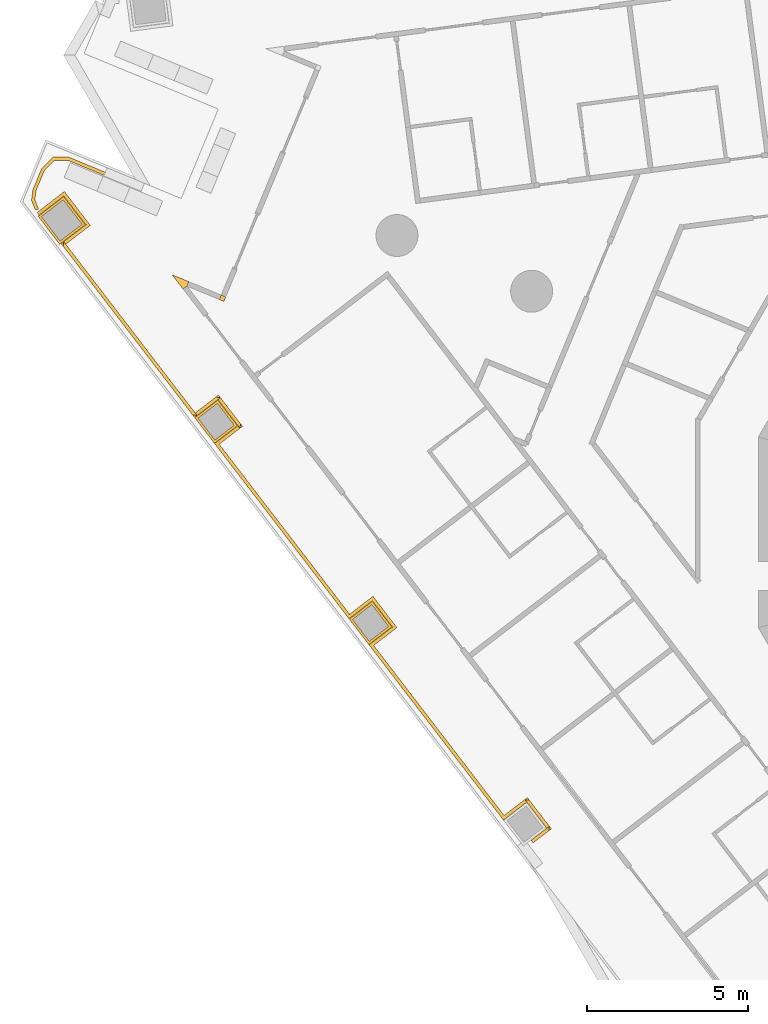
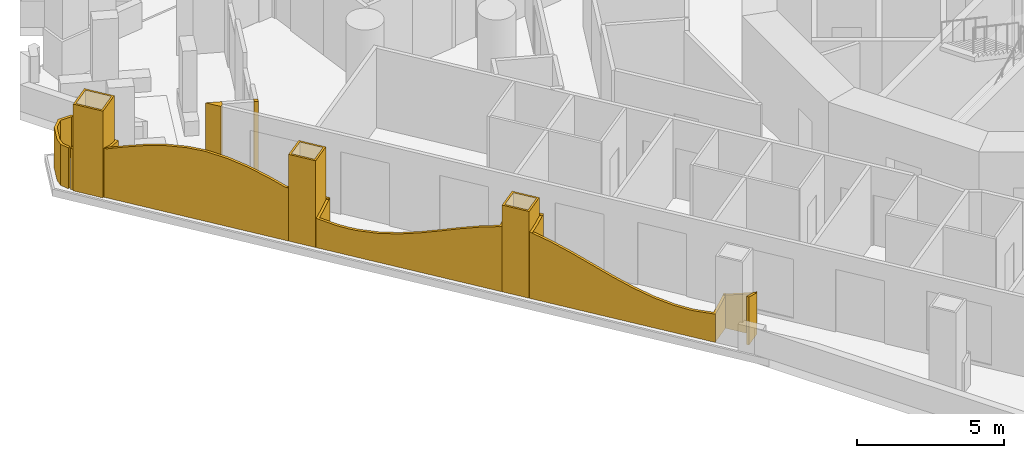
# One storey, part 15 of 20: 5 coverings, 2 railings.
"""IFC4 building model written with IfcOpenShell, lengths in metres."""

from ifc_helpers import new_model, si_unit, direction, frame, origin, place, context, subcontext, project, spatial, polyline, outline, extrude, material, layer, layer_set, type_object, element, save


model = new_model("IFC4")

# Units and contexts
model_context = context("Model", 3, precision=1e-05, world=origin(), true_north=direction((0.0, 1.0)))
body_context = subcontext(model_context, "Body", "Model", "MODEL_VIEW")
ifc_project = project(units=[si_unit("LENGTHUNIT", "METRE"), si_unit("AREAUNIT", "SQUARE_METRE"), si_unit("VOLUMEUNIT", "CUBIC_METRE"), si_unit("PLANEANGLEUNIT", "RADIAN"), si_unit("MASSUNIT", "GRAM", prefix="KILO")], contexts=[model_context])

# Site, building, storey
site_placement = place(None, origin())
site = spatial("IfcSite", under=ifc_project, at=site_placement, CompositionType="ELEMENT")
building_placement = place(site_placement, origin())
building = spatial("IfcBuilding", under=site, at=building_placement, Name="Trine Commons Tower", CompositionType="ELEMENT")
storey_placement = place(building_placement, frame((0.0, 0.0, 50.39990234375)))
storey = spatial("IfcBuildingStorey", under=building, at=storey_placement, Name="L11", CompositionType="ELEMENT", Elevation=50.39990234375)

# Coverings
ifc_material_1 = material(Name="Aluminium-framed insulated wall panel", Category="aluminium")
ifc_layer_1 = layer(ifc_material_1, 0.14990234375)
ifc_layer_set_1 = layer_set([ifc_layer_1], Name="Aluminium-framed insulated wall panel")
covering_type_1 = type_object("IfcCoveringType", Name="Glazing corner post, aluminium", PredefinedType="CLADDING", material=ifc_layer_set_1)
covering_1_placement = place(storey_placement, origin())
element("IfcCovering", 1, at=covering_1_placement, inside=storey, type_object=covering_type_1, Name="Glazing corner post 2-01", PredefinedType="CLADDING", context=body_context, shape_type="SweptSolid", body=[
    extrude(outline(polyline([(51.165771484375, 70.038330078125), (51.28466796875, 70.129638671875), (51.342041015625, 70.268310546875), (50.824951171875, 70.482421875), (51.165771484375, 70.038330078125)])), origin(), (0.0, 0.0, 1.0), 3.300048828125),
])
covering_2_placement = place(storey_placement, origin())
element("IfcCovering", 2, at=covering_2_placement, inside=storey, type_object=covering_type_1, Name="Glazing corner post 2-02", PredefinedType="CLADDING", context=body_context, shape_type="SweptSolid", body=[
    extrude(outline(polyline([(52.28759765625, 69.714111328125), (52.42626953125, 69.65673828125), (52.483642578125, 69.79541015625), (52.34521484375, 69.852783203125), (52.28759765625, 69.714111328125)])), origin(), (0.0, 0.0, 1.0), 3.300048828125),
])
ifc_material_2 = material(Name="Limestone, honed", Category="masonry")
ifc_layer_2 = layer(ifc_material_2, 0.074951171875)
ifc_layer_set_2 = layer_set([ifc_layer_2], Name="Limestone, honed")
covering_type_2 = type_object("IfcCoveringType", Name="Limestone column cladding 75", PredefinedType="CLADDING", material=ifc_layer_set_2)
covering_3_placement = place(storey_placement, origin())
element("IfcCovering", 3, at=covering_3_placement, inside=storey, type_object=covering_type_2, Name="Limestone pier cladding 2-06", PredefinedType="CLADDING", context=body_context, shape_type="SweptSolid", body=[
    extrude(outline(polyline([(57.026123046875, 60.36376953125), (56.312255859375, 59.81591796875), (56.9208984375, 59.022705078125), (57.635009765625, 59.570556640625), (57.026123046875, 60.36376953125)]), holes=[polyline([(57.012451171875, 60.2587890625), (56.41748046875, 59.802001953125), (56.934814453125, 59.127685546875), (57.52978515625, 59.584228515625), (57.012451171875, 60.2587890625)])]), origin(), (0.0, 0.0, 1.0), 3.60009765625),
])
covering_4_placement = place(storey_placement, origin())
element("IfcCovering", 4, at=covering_4_placement, inside=storey, type_object=covering_type_2, Name="Limestone pier cladding 2-07", PredefinedType="CLADDING", context=body_context, shape_type="SweptSolid", body=[
    extrude(outline(polyline([(52.240966796875, 66.599853515625), (51.527099609375, 66.052001953125), (52.1357421875, 65.2587890625), (52.849853515625, 65.806640625), (52.240966796875, 66.599853515625)]), holes=[polyline([(52.227294921875, 66.494873046875), (51.632080078125, 66.0380859375), (52.149658203125, 65.36376953125), (52.74462890625, 65.8203125), (52.227294921875, 66.494873046875)])]), origin(), (0.0, 0.0, 1.0), 3.60009765625),
])
covering_5_placement = place(storey_placement, origin())
element("IfcCovering", 5, at=covering_5_placement, inside=storey, type_object=covering_type_2, Name="Limestone pier cladding 2-08", PredefinedType="CLADDING", context=body_context, shape_type="SweptSolid", body=[
    extrude(outline(polyline([(47.465087890625, 72.90625), (46.671630859375, 72.297607421875), (47.34130859375, 71.4248046875), (48.134765625, 72.033447265625), (47.465087890625, 72.90625)]), holes=[polyline([(47.451171875, 72.801025390625), (46.77685546875, 72.28369140625), (47.355224609375, 71.52978515625), (48.029541015625, 72.04736328125), (47.451171875, 72.801025390625)])]), origin(), (0.0, 0.0, 1.0), 3.60009765625),
])

# Railings
ifc_material_3 = material(Name="White powder-coated aluminium", Category="aluminium")
ifc_layer_3 = layer(ifc_material_3, 0.10009765625)
ifc_layer_set_3 = layer_set([ifc_layer_3], Name="White powder-coated aluminium")
railing_type = type_object("IfcRailingType", Name="White balustrade band 100", PredefinedType="GUARDRAIL", material=ifc_layer_set_3)
railing_1_placement = place(storey_placement, origin())
element("IfcRailing", 6, at=railing_1_placement, inside=storey, type_object=railing_type, Name="Guard band L11 4", PredefinedType="GUARDRAIL", context=body_context, shape_type="SweptSolid", body=[
    extrude(outline(polyline([(0.0, 0.0), (0.71435546875, 0.0), (0.71435546875, 1.718505859375), (0.71435546875, 1.718505859375), (0.20849609375, 1.91259765625), (0.0, 1.994384765625), (0.0, 0.0)])), frame((61.94775390625, 52.959228515625, 0.0), z_axis=(0.608983826953, -0.79318263881, 0.0), x_axis=(0.79318263881, 0.608983826953, 0.0)), (0.0, 0.0, 1.0), 0.10009765625),
    extrude(outline(polyline([(0.0, 0.0), (1.221923828125, 0.0), (1.22216796875, 1.35009765625), (0.611083984375, 1.537109375), (0.0, 1.7568359375), (0.0, 0.0)])), frame((62.495361328125, 53.25244140625, 0.0), z_axis=(0.793358692504, 0.608754453805, 0.0), x_axis=(-0.608754453805, 0.793358692504, 0.0)), (0.0, 0.0, 1.0), 0.10009765625),
    extrude(outline(polyline([(0.0, 0.0), (1.011474609375, 0.0), (1.011474609375, 1.159912109375), (0.505859375, 1.2509765625), (0.0, 1.37841796875), (0.0, 0.0)])), frame((61.893310546875, 54.202880859375, 0.0), z_axis=(-0.608730465928, 0.793377098139, 0.0), x_axis=(-0.793377098139, -0.608730465928, 0.0)), (0.0, 0.0, 1.0), 0.10009765625),
    extrude(outline(polyline([(0.0, 0.0), (6.841552734375, 0.0), (6.841796875, 2.75927734375), (6.08154296875, 2.560546875), (5.3212890625, 2.30078125), (4.561279296875, 2.008056640625), (3.801025390625, 1.714599609375), (3.040771484375, 1.451904296875), (2.280517578125, 1.24951171875), (1.5205078125, 1.128662109375), (0.94189453125, 1.10009765625), (0.76025390625, 1.102783203125), (0.0, 1.175048828125), (0.0, 0.0)])), frame((61.091552734375, 53.58740234375, 0.0), z_axis=(0.793339786959, 0.608779091648, 0.0), x_axis=(-0.608779091648, 0.793339786959, 0.0)), (0.0, 0.0, 1.0), 0.10009765625),
    extrude(outline(polyline([(0.0, 0.0), (1.011474609375, 0.0), (1.011474609375, 2.88720703125), (0.505615234375, 2.780029296875), (0.0, 2.7373046875), (0.0, 0.0)])), frame((56.926513671875, 59.014404296875, 0.0), z_axis=(0.608730465928, -0.793377098139, 0.0), x_axis=(0.793377098139, 0.608730465928, 0.0)), (0.0, 0.0, 1.0), 0.10009765625),
    extrude(outline(polyline([(0.0, 0.0), (1.2216796875, 0.0), (1.2216796875, 2.8544921875), (0.61083984375, 2.898681640625), (0.489990234375, 2.900146484375), (0.0, 2.879638671875), (0.0, 0.0)])), frame((57.710205078125, 59.48876953125, 0.0), z_axis=(0.793210546298, 0.608947476586, 0.0), x_axis=(-0.608947476586, 0.793210546298, 0.0)), (0.0, 0.0, 1.0), 0.10009765625),
    extrude(outline(polyline([(0.0, 0.0), (1.01171875, 0.0), (1.01171875, 2.6787109375), (0.505859375, 2.780029296875), (0.0, 2.8662109375), (0.0, 0.0)])), frame((57.108154296875, 60.43896484375, 0.0), z_axis=(-0.608765812446, 0.793349976743, 0.0), x_axis=(-0.793349976743, -0.608765812446, 0.0)), (0.0, 0.0, 1.0), 0.10009765625),
    extrude(outline(polyline([(0.0, 0.0), (6.8427734375, 0.0), (6.8427734375, 1.217529296875), (6.08251953125, 1.115478515625), (5.65869140625, 1.10009765625), (5.322021484375, 1.10986328125), (4.561767578125, 1.201416015625), (3.801513671875, 1.3798828125), (3.041259765625, 1.626220703125), (2.281005859375, 1.9130859375), (1.5205078125, 2.209716796875), (0.76025390625, 2.4833984375), (0.0, 2.704345703125), (0.0, 0.0)])), frame((56.306640625, 59.822998046875, 0.0), z_axis=(0.793358215176, 0.608755075883, 0.0), x_axis=(-0.608755075883, 0.793358215176, 0.0)), (0.0, 0.0, 1.0), 0.10009765625),
    extrude(outline(polyline([(0.0, 0.0), (1.01171875, 0.0), (1.01171875, 1.450439453125), (0.505859375, 1.307861328125), (0.0, 1.19873046875), (0.0, 0.0)])), frame((52.1416015625, 65.250732421875, 0.0), z_axis=(0.608882360957, -0.793260531298, 0.0), x_axis=(0.793260531298, 0.608882360957, 0.0)), (0.0, 0.0, 1.0), 0.10009765625),
    extrude(outline(polyline([(0.0, 0.0), (1.22119140625, 0.0), (1.22119140625, 1.849365234375), (0.610595703125, 1.62109375), (0.0, 1.41943359375), (0.0, 0.0)])), frame((52.9248046875, 65.724853515625, 0.0), z_axis=(0.793329536598, 0.60879244933, 0.0), x_axis=(-0.60879244933, 0.793329536598, 0.0)), (0.0, 0.0, 1.0), 0.10009765625),
    extrude(outline(polyline([(0.0, 0.0), (1.01123046875, 0.0), (1.011474609375, 2.204345703125), (0.505615234375, 2.00732421875), (0.0, 1.810302734375), (0.0, 0.0)])), frame((52.32275390625, 66.675048828125, 0.0), z_axis=(-0.608847051105, 0.793287632804, 0.0), x_axis=(-0.793287632804, -0.608847051105, 0.0)), (0.0, 0.0, 1.0), 0.10009765625),
    extrude(outline(polyline([(0.0, 0.0), (6.792236328125, 0.0), (6.792236328125, 1.99365234375), (6.03759765625, 2.284912109375), (5.282958984375, 2.5458984375), (4.5283203125, 2.748046875), (3.7734375, 2.86962890625), (3.176513671875, 2.900146484375), (3.018798828125, 2.89794921875), (2.26416015625, 2.82958984375), (1.509521484375, 2.672119140625), (0.754638671875, 2.4423828125), (0.0, 2.165283203125), (0.0, 0.0)])), frame((51.521240234375, 66.059326171875, 0.0), z_axis=(0.793361000707, 0.608751445631, 0.0), x_axis=(-0.608751445631, 0.793361000707, 0.0)), (0.0, 0.0, 1.0), 0.10009765625),
    extrude(outline(polyline([(0.0, 0.0), (1.06201171875, 0.0), (1.061767578125, 1.7001953125), (0.531005859375, 1.826171875), (0.0, 2.033447265625), (0.0, 0.0)])), frame((47.386474609375, 71.44677734375, 0.0), z_axis=(0.609010561068, -0.793162112376, 0.0), x_axis=(0.793162112376, 0.609010561068, 0.0)), (0.0, 0.0, 1.0), 0.10009765625),
    extrude(outline(polyline([(0.0, 0.0), (1.321533203125, 0.0), (1.321533203125, 1.7001953125), (0.660888671875, 1.7001953125), (0.0, 1.7001953125), (0.0, 0.0)])), frame((48.209716796875, 71.951904296875, 0.0), z_axis=(0.793413059848, 0.608683593062, 0.0), x_axis=(-0.608683593062, 0.793413059848, 0.0)), (0.0, 0.0, 1.0), 0.10009765625),
    extrude(outline(polyline([(0.0, 0.0), (1.061767578125, 0.0), (1.061767578125, 1.7001953125), (0.53076171875, 1.7001953125), (0.0, 1.7001953125), (0.0, 0.0)])), frame((47.546630859375, 72.9814453125, 0.0), z_axis=(-0.608865897891, 0.793273167569, 0.0), x_axis=(-0.793273167569, -0.608865897891, 0.0)), (0.0, 0.0, 1.0), 0.10009765625),
])
railing_2_placement = place(storey_placement, origin())
element("IfcRailing", 7, at=railing_2_placement, inside=storey, type_object=railing_type, Name="Guard band L11 5", PredefinedType="GUARDRAIL", context=body_context, shape_type="SweptSolid", body=[
    extrude(outline(polyline([(0.0, 0.0), (0.332275390625, 0.0), (0.33203125, 1.7001953125), (0.0, 1.7001953125), (0.0, 0.0)])), frame((46.59326171875, 72.481689453125, 0.0), z_axis=(0.923792840973, 0.382892657237, 0.0), x_axis=(-0.382892657237, 0.923792840973, 0.0)), (0.0, 0.0, 1.0), 0.10009765625),
    extrude(outline(polyline([(0.0, 0.0), (0.332275390625, 0.0), (0.332275390625, 1.7001953125), (0.0693359375, 1.7001953125), (0.0, 1.7001953125), (0.0, 0.0)])), frame((46.46630859375, 72.786865234375, 0.0), z_axis=(0.991406702602, -0.130815710202, 0.0), x_axis=(0.130815710202, 0.991406702602, 0.0)), (0.0, 0.0, 1.0), 0.10009765625),
    extrude(outline(polyline([(0.0, 0.0), (0.72021484375, 0.0), (0.72021484375, 1.7001953125), (0.0, 1.7001953125), (0.0, 0.0)])), frame((46.509521484375, 73.114990234375, 0.0), z_axis=(0.923847400607, -0.382760996435, 0.0), x_axis=(0.382760996435, 0.923847400607, 0.0)), (0.0, 0.0, 1.0), 0.10009765625),
    extrude(outline(polyline([(0.0, 0.0), (0.4912109375, 0.0), (0.491455078125, 1.7001953125), (0.0, 1.7001953125), (0.0, 0.0)])), frame((46.7841796875, 73.779296875, 0.0), z_axis=(0.707106781187, -0.707106781187, 0.0), x_axis=(0.707106781187, 0.707106781187, 0.0)), (0.0, 0.0, 1.0), 0.10009765625),
    extrude(outline(polyline([(0.0, 0.0), (0.49169921875, 0.0), (0.49169921875, 1.7001953125), (0.0, 1.7001953125), (0.0, 0.0)])), frame((47.13037109375, 74.1259765625, 0.0), z_axis=(0.0, -1.0, 0.0), x_axis=(1.0, 0.0, 0.0)), (0.0, 0.0, 1.0), 0.10009765625),
    extrude(outline(polyline([(0.0, 0.0), (1.418701171875, 0.0), (1.418701171875, 1.877197265625), (1.328857421875, 1.841796875), (0.664306640625, 1.7001953125), (0.0, 1.7001953125), (0.0, 0.0)])), frame((47.6201171875, 74.126220703125, 0.0), z_axis=(-0.382696266864, -0.923874216183, 0.0), x_axis=(0.923874216183, -0.382696266864, 0.0)), (0.0, 0.0, 1.0), 0.10009765625),
])

save(model, "model.ifc")
